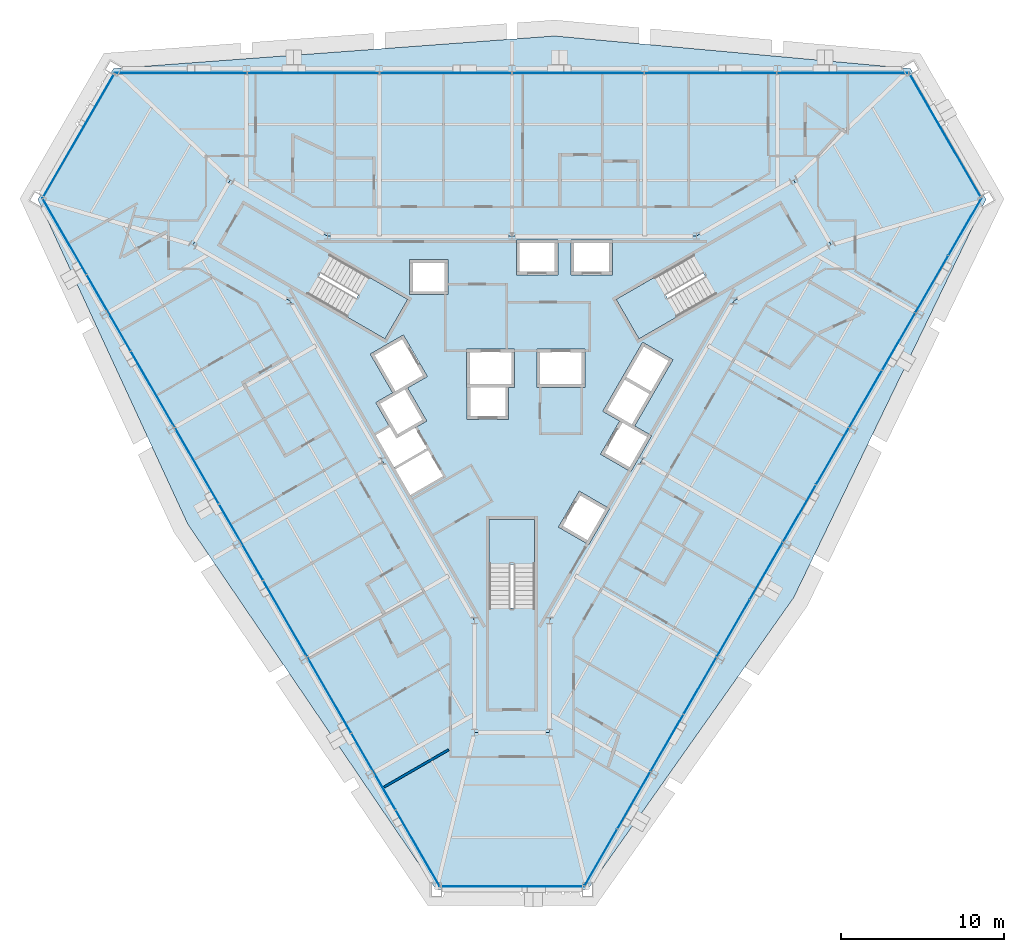
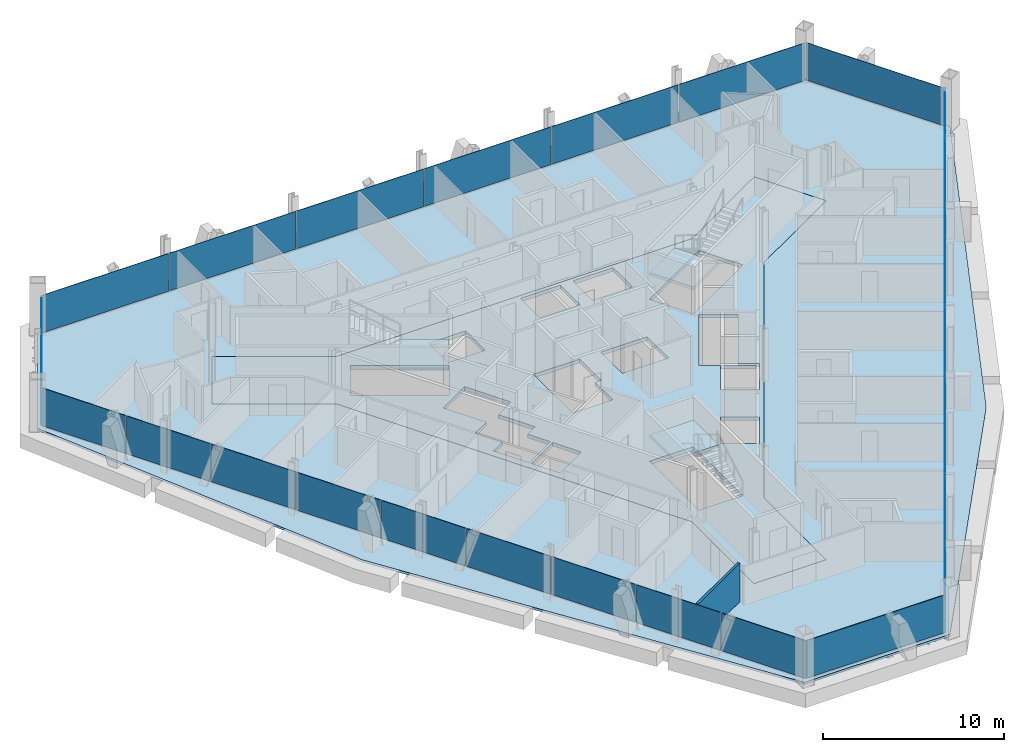
# One storey, part 12 of 19: 30 plates, 5 slabs, 1 wall, 9 elements without a shape of their own.
"""IFC4 building model written with IfcOpenShell, lengths in metres."""

from ifc_helpers import new_model, si_unit, direction, frame, frame_2d, origin, origin_2d, place, context, subcontext, project, spatial, polyline, rectangle, outline, extrude, material, layer, layer_set, type_object, element, aggregate, save


model = new_model("IFC4")

# Units and contexts
model_context = context("Model", 3, precision=1e-05, world=origin(), true_north=direction((0.0, 1.0)))
body_context = subcontext(model_context, "Body", "Model", "MODEL_VIEW")
ifc_project = project(units=[si_unit("LENGTHUNIT", "METRE"), si_unit("AREAUNIT", "SQUARE_METRE"), si_unit("VOLUMEUNIT", "CUBIC_METRE"), si_unit("PLANEANGLEUNIT", "RADIAN"), si_unit("MASSUNIT", "GRAM", prefix="KILO")], contexts=[model_context])

# Site, building, storey
site_placement = place(None, origin())
site = spatial("IfcSite", under=ifc_project, at=site_placement, CompositionType="ELEMENT")
building_placement = place(site_placement, origin())
building = spatial("IfcBuilding", under=site, at=building_placement, Name="Verrane Prism Tower", CompositionType="ELEMENT")
storey_placement = place(building_placement, frame((0.0, 0.0, 125.199951171875)))
storey = spatial("IfcBuildingStorey", under=building, at=storey_placement, Name="L30", CompositionType="ELEMENT", Elevation=125.199951171875)

# Slabs
ifc_material_1 = material(Name="Concrete C35/45", Category="concrete")
ifc_layer_1 = layer(ifc_material_1, 0.159912109375)
ifc_layer_set_1 = layer_set([ifc_layer_1], Name="Composite floor slab")
slab_type_1 = type_object("IfcSlabType", Name="Composite floor slab", PredefinedType="FLOOR", material=ifc_layer_set_1)
slab_1_placement = place(storey_placement, frame((0.0, 0.0, -0.159912109375)))
element("IfcSlab", 1, at=slab_1_placement, inside=storey, type_object=slab_type_1, Name="Floor slab L30", PredefinedType="FLOOR", context=body_context, shape_type="SweptSolid", body=[
    extrude(outline(polyline([(17.3056640625, -13.005615234375), (4.64306640625, -30.93798828125), (-4.64306640625, -30.93798828125), (-19.916015625, -8.484375), (-29.11474609375, 11.447998046875), (-24.4716796875, 19.489990234375), (2.6103515625, 21.489990234375), (24.4716796875, 19.489990234375), (29.11474609375, 11.447998046875), (17.3056640625, -13.005615234375)]), holes=[polyline([(19.60009765625, 8.659912109375), (17.300048828125, 12.639892578125), (11.330078125, 9.199951171875), (0.0, 9.199951171875), (-11.330078125, 9.199951171875), (-17.300048828125, 12.639892578125), (-19.60009765625, 8.659912109375), (-13.6298828125, 5.219970703125), (-7.969970703125, -4.60009765625), (-2.300048828125, -14.419921875), (-2.300048828125, -21.300048828125), (2.300048828125, -21.300048828125), (2.300048828125, -14.419921875), (7.969970703125, -4.60009765625), (13.6298828125, 5.219970703125), (19.60009765625, 8.659912109375)])]), origin(), (0.0, 0.0, 1.0), 0.159912109375),
])
ifc_material_2 = material(Name="Concrete C40/50", Category="concrete")
ifc_layer_2 = layer(ifc_material_2, 0.25)
ifc_layer_set_2 = layer_set([ifc_layer_2], Name="Core floor slab 250 concrete C40/50")
slab_type_2 = type_object("IfcSlabType", Name="Core floor slab 250 concrete C40/50", PredefinedType="FLOOR", material=ifc_layer_set_2)
slab_2_placement = place(storey_placement, frame((0.0, 0.0, -0.25)))
element("IfcSlab", 2, at=slab_2_placement, inside=storey, type_object=slab_type_2, Name="Core floor L30", PredefinedType="FLOOR", context=body_context, shape_type="SweptSolid", body=[
    extrude(outline(polyline([(13.6298828125, 5.219970703125), (19.60009765625, 8.659912109375), (17.300048828125, 12.639892578125), (11.330078125, 9.199951171875), (0.0, 9.199951171875), (-11.330078125, 9.199951171875), (-17.300048828125, 12.639892578125), (-19.60009765625, 8.659912109375), (-13.6298828125, 5.219970703125), (-7.969970703125, -4.60009765625), (-2.300048828125, -14.419921875), (-2.300048828125, -21.300048828125), (2.300048828125, -21.300048828125), (2.300048828125, -14.419921875), (7.969970703125, -4.60009765625), (13.6298828125, 5.219970703125)]), holes=[polyline([(1.39990234375, -8.199951171875), (1.39990234375, -13.639892578125), (-1.39990234375, -13.639892578125), (-1.39990234375, -8.199951171875), (1.39990234375, -8.199951171875)]), polyline([(-4.23095703125, -5.54296875), (-6.243896484375, -6.705078125), (-7.158935546875, -5.12109375), (-5.14599609375, -3.95703125), (-4.23095703125, -5.54296875)]), polyline([(0.1650390625, 2.25), (0.1650390625, -0.10009765625), (-0.205078125, -0.10009765625), (-0.205078125, -2.050048828125), (-2.7548828125, -2.050048828125), (-2.7548828125, -0.10009765625), (-2.784912109375, -0.10009765625), (-2.784912109375, 2.25), (0.1650390625, 2.25)]), polyline([(-12.512939453125, 5.60791015625), (-11.113037109375, 8.031982421875), (-6.40087890625, 5.31201171875), (-7.801025390625, 2.887939453125), (-12.512939453125, 5.60791015625)]), polyline([(-6.284912109375, 5.610107421875), (-6.284912109375, 7.760009765625), (-3.93505859375, 7.760009765625), (-3.93505859375, 5.610107421875), (-6.284912109375, 5.610107421875)]), polyline([(4.717041015625, -9.75), (2.85498046875, -8.675048828125), (4.1298828125, -6.466064453125), (5.991943359375, -7.541015625), (4.717041015625, -9.75)]), polyline([(8.303955078125, -3.136962890625), (5.575927734375, -1.56201171875), (8.02587890625, 2.680908203125), (9.887939453125, 1.60595703125), (7.5380859375, -2.464111328125), (8.576904296875, -3.06396484375), (7.302001953125, -5.27197265625), (5.43994140625, -4.197021484375), (6.614990234375, -2.162109375), (8.303955078125, -3.136962890625)]), polyline([(1.52490234375, -0.10009765625), (1.52490234375, 2.25), (4.47509765625, 2.25), (4.47509765625, -0.10009765625), (1.52490234375, -0.10009765625)]), polyline([(6.40087890625, 5.31201171875), (11.113037109375, 8.031982421875), (12.512939453125, 5.60791015625), (7.801025390625, 2.887939453125), (6.40087890625, 5.31201171875)]), polyline([(0.264892578125, 6.81005859375), (0.264892578125, 8.9599609375), (2.81494140625, 8.9599609375), (2.81494140625, 6.81005859375), (0.264892578125, 6.81005859375)]), polyline([(3.625, 6.81005859375), (3.625, 8.9599609375), (6.175048828125, 8.9599609375), (6.175048828125, 6.81005859375), (3.625, 6.81005859375)]), polyline([(-5.23095703125, -2.159912109375), (-5.945068359375, -2.572265625), (-5.220947265625, -3.826904296875), (-7.23291015625, -4.990966796875), (-8.368896484375, -3.02392578125), (-7.502685546875, -2.525146484375), (-8.367919921875, -1.02587890625), (-7.3291015625, -0.426025390625), (-8.7041015625, 1.955078125), (-6.66796875, 3.1298828125), (-5.193115234375, 0.574951171875), (-6.406005859375, -0.125), (-5.23095703125, -2.159912109375)])]), origin(), (0.0, 0.0, 1.0), 0.25),
])

# Curtain wall, plates
ifc_material_3 = material(Name="Aluminium framed insulated glazing", Category="aluminium")
curtain_wall_type_1 = type_object("IfcCurtainWallType", Name="Curtain wall CW-C 4200 module", PredefinedType="NOTDEFINED", material=ifc_material_3)
curtain_wall_1_placement = place(storey_placement, origin())
curtain_wall_1 = element("IfcCurtainWall", 3, at=curtain_wall_1_placement, inside=storey, type_object=curtain_wall_type_1, Name="Glazed curtain wall south-east face L30", PredefinedType="NOTDEFINED")
ifc_material_4 = material(Name="Low-iron insulating glass unit", Category="glass")
ifc_layer_3 = layer(ifc_material_4, 0.02392578125)
ifc_layer_set_3 = layer_set([ifc_layer_3], Name="Glazing panel IGU 24")
plate_type_1 = type_object("IfcPlateType", Name="Glazing panel IGU 24", PredefinedType="CURTAIN_PANEL", material=ifc_layer_set_3)
plate_1_placement = place(storey_placement, frame((5.460693359375, -28.963623046875, 0.050048828125), z_axis=(0.0, 0.0, 1.0), x_axis=(0.500000131621, 0.866025327793, 0.0)))
plate_1 = element("IfcPlate", 4, at=plate_1_placement, type_object=plate_type_1, Name="CW29.6 panel 1", PredefinedType="CURTAIN_PANEL", context=body_context, shape_type="SweptSolid", body=[
    extrude(rectangle(XDim=3.991455078125, YDim=0.02392578125, at=origin_2d()), origin(), (0.0, 0.0, 1.0), 2.56298828125),
])
plate_2_placement = place(storey_placement, frame((7.48779296875, -25.452880859375, 0.050048828125), z_axis=(0.0, 0.0, 1.0), x_axis=(0.500000131621, 0.866025327793, 0.0)))
plate_2 = element("IfcPlate", 5, at=plate_2_placement, type_object=plate_type_1, Name="CW29.6 panel 2", PredefinedType="CURTAIN_PANEL", context=body_context, shape_type="SweptSolid", body=[
    extrude(rectangle(XDim=4.016357421875, YDim=0.02392578125, at=origin_2d()), origin(), (0.0, 0.0, 1.0), 2.56298828125),
])
plate_3_placement = place(storey_placement, frame((9.52099609375, -21.93115234375, 0.050048828125), z_axis=(0.0, 0.0, 1.0), x_axis=(0.500000131621, 0.866025327793, 0.0)))
plate_3 = element("IfcPlate", 6, at=plate_3_placement, type_object=plate_type_1, Name="CW29.6 panel 3", PredefinedType="CURTAIN_PANEL", context=body_context, shape_type="SweptSolid", body=[
    extrude(rectangle(XDim=4.016357421875, YDim=0.02392578125, at=origin_2d()), origin(), (0.0, 0.0, 1.0), 2.56298828125),
])
plate_4_placement = place(storey_placement, frame((11.55419921875, -18.40966796875, 0.050048828125), z_axis=(0.0, 0.0, 1.0), x_axis=(0.500000131621, 0.866025327793, 0.0)))
plate_4 = element("IfcPlate", 7, at=plate_4_placement, type_object=plate_type_1, Name="CW29.6 panel 4", PredefinedType="CURTAIN_PANEL", context=body_context, shape_type="SweptSolid", body=[
    extrude(rectangle(XDim=4.016357421875, YDim=0.02392578125, at=origin_2d()), origin(), (0.0, 0.0, 1.0), 2.56298828125),
])
plate_5_placement = place(storey_placement, frame((13.58740234375, -14.887939453125, 0.050048828125), z_axis=(0.0, 0.0, 1.0), x_axis=(0.500000131621, 0.866025327793, 0.0)))
plate_5 = element("IfcPlate", 8, at=plate_5_placement, type_object=plate_type_1, Name="CW29.6 panel 5", PredefinedType="CURTAIN_PANEL", context=body_context, shape_type="SweptSolid", body=[
    extrude(rectangle(XDim=4.016357421875, YDim=0.02392578125, at=origin_2d()), origin(), (0.0, 0.0, 1.0), 2.56298828125),
])
plate_6_placement = place(storey_placement, frame((15.62060546875, -11.3662109375, 0.050048828125), z_axis=(0.0, 0.0, 1.0), x_axis=(0.500000131621, 0.866025327793, 0.0)))
plate_6 = element("IfcPlate", 9, at=plate_6_placement, type_object=plate_type_1, Name="CW29.6 panel 6", PredefinedType="CURTAIN_PANEL", context=body_context, shape_type="SweptSolid", body=[
    extrude(rectangle(XDim=4.016357421875, YDim=0.02392578125, at=origin_2d()), origin(), (0.0, 0.0, 1.0), 2.56298828125),
])
plate_7_placement = place(storey_placement, frame((17.65380859375, -7.8447265625, 0.050048828125), z_axis=(0.0, 0.0, 1.0), x_axis=(0.500000131621, 0.866025327793, 0.0)))
plate_7 = element("IfcPlate", 10, at=plate_7_placement, type_object=plate_type_1, Name="CW29.6 panel 7", PredefinedType="CURTAIN_PANEL", context=body_context, shape_type="SweptSolid", body=[
    extrude(rectangle(XDim=4.016357421875, YDim=0.02392578125, at=origin_2d()), origin(), (0.0, 0.0, 1.0), 2.56298828125),
])
plate_8_placement = place(storey_placement, frame((19.68701171875, -4.322998046875, 0.050048828125), z_axis=(0.0, 0.0, 1.0), x_axis=(0.500000131621, 0.866025327793, 0.0)))
plate_8 = element("IfcPlate", 11, at=plate_8_placement, type_object=plate_type_1, Name="CW29.6 panel 8", PredefinedType="CURTAIN_PANEL", context=body_context, shape_type="SweptSolid", body=[
    extrude(rectangle(XDim=4.016357421875, YDim=0.02392578125, at=origin_2d()), origin(), (0.0, 0.0, 1.0), 2.56298828125),
])
plate_9_placement = place(storey_placement, frame((21.72021484375, -0.801513671875, 0.050048828125), z_axis=(0.0, 0.0, 1.0), x_axis=(0.500000131621, 0.866025327793, 0.0)))
plate_9 = element("IfcPlate", 12, at=plate_9_placement, type_object=plate_type_1, Name="CW29.6 panel 9", PredefinedType="CURTAIN_PANEL", context=body_context, shape_type="SweptSolid", body=[
    extrude(rectangle(XDim=4.016357421875, YDim=0.02392578125, at=origin_2d()), origin(), (0.0, 0.0, 1.0), 2.56298828125),
])
plate_10_placement = place(storey_placement, frame((23.75341796875, 2.72021484375, 0.050048828125), z_axis=(0.0, 0.0, 1.0), x_axis=(0.500000131621, 0.866025327793, 0.0)))
plate_10 = element("IfcPlate", 13, at=plate_10_placement, type_object=plate_type_1, Name="CW29.6 panel 10", PredefinedType="CURTAIN_PANEL", context=body_context, shape_type="SweptSolid", body=[
    extrude(rectangle(XDim=4.016357421875, YDim=0.02392578125, at=origin_2d()), origin(), (0.0, 0.0, 1.0), 2.56298828125),
])
plate_11_placement = place(storey_placement, frame((25.78662109375, 6.241943359375, 0.050048828125), z_axis=(0.0, 0.0, 1.0), x_axis=(0.500000131621, 0.866025327793, 0.0)))
plate_11 = element("IfcPlate", 14, at=plate_11_placement, type_object=plate_type_1, Name="CW29.6 panel 11", PredefinedType="CURTAIN_PANEL", context=body_context, shape_type="SweptSolid", body=[
    extrude(rectangle(XDim=4.016357421875, YDim=0.02392578125, at=origin_2d()), origin(), (0.0, 0.0, 1.0), 2.56298828125),
])
plate_12_placement = place(storey_placement, frame((27.826171875, 9.7744140625, 0.050048828125), z_axis=(0.0, 0.0, 1.0), x_axis=(0.500000131621, 0.866025327793, 0.0)))
plate_12 = element("IfcPlate", 15, at=plate_12_placement, type_object=plate_type_1, Name="CW29.6 panel 12", PredefinedType="CURTAIN_PANEL", context=body_context, shape_type="SweptSolid", body=[
    extrude(rectangle(XDim=4.04150390625, YDim=0.02392578125, at=origin_2d()), origin(), (0.0, 0.0, 1.0), 2.56298828125),
])
aggregate(curtain_wall_1, [plate_1, plate_2, plate_3, plate_4, plate_5, plate_6, plate_7, plate_8, plate_9, plate_10, plate_11, plate_12])

ifc_material_5 = material(Name="Aluminium framed insulated glazing", Category="aluminium")
curtain_wall_type_2 = type_object("IfcCurtainWallType", Name="Curtain wall CW-B 5600 module", PredefinedType="NOTDEFINED", material=ifc_material_5)
curtain_wall_2_placement = place(storey_placement, origin())
curtain_wall_2 = element("IfcCurtainWall", 16, at=curtain_wall_2_placement, inside=storey, type_object=curtain_wall_type_2, Name="Glazed curtain wall south-west face L30", PredefinedType="NOTDEFINED")
ifc_material_6 = material(Name="Low-iron insulating glass unit", Category="glass")
ifc_layer_4 = layer(ifc_material_6, 0.028076171875)
ifc_layer_set_4 = layer_set([ifc_layer_4], Name="Glazing panel IGU 28")
plate_type_2 = type_object("IfcPlateType", Name="Glazing panel IGU 28", PredefinedType="CURTAIN_PANEL", material=ifc_layer_set_4)
plate_13_placement = place(storey_placement, frame((-27.4736328125, 9.16357421875, 0.06005859375), z_axis=(0.0, 0.0, 1.0), x_axis=(0.500000131621, -0.866025327793, 0.0)))
plate_13 = element("IfcPlate", 17, at=plate_13_placement, type_object=plate_type_2, Name="CW29.4 panel 1", PredefinedType="CURTAIN_PANEL", context=body_context, shape_type="SweptSolid", body=[
    extrude(rectangle(XDim=5.33203125, YDim=0.028076171875, at=origin_2d()), origin(), (0.0, 0.0, 1.0), 2.552978515625),
])
plate_14_placement = place(storey_placement, frame((-24.77001953125, 4.48095703125, 0.06005859375), z_axis=(0.0, 0.0, 1.0), x_axis=(0.500000131621, -0.866025327793, 0.0)))
plate_14 = element("IfcPlate", 18, at=plate_14_placement, type_object=plate_type_2, Name="CW29.4 panel 2", PredefinedType="CURTAIN_PANEL", context=body_context, shape_type="SweptSolid", body=[
    extrude(rectangle(XDim=5.36181640625, YDim=0.028076171875, at=origin_2d()), origin(), (0.0, 0.0, 1.0), 2.552978515625),
])
plate_15_placement = place(storey_placement, frame((-22.05908203125, -0.214599609375, 0.06005859375), z_axis=(0.0, 0.0, 1.0), x_axis=(0.500000131621, -0.866025327793, 0.0)))
plate_15 = element("IfcPlate", 19, at=plate_15_placement, type_object=plate_type_2, Name="CW29.4 panel 3", PredefinedType="CURTAIN_PANEL", context=body_context, shape_type="SweptSolid", body=[
    extrude(rectangle(XDim=5.36181640625, YDim=0.028076171875, at=origin_2d()), origin(), (0.0, 0.0, 1.0), 2.552978515625),
])
plate_16_placement = place(storey_placement, frame((-19.34814453125, -4.909912109375, 0.06005859375), z_axis=(0.0, 0.0, 1.0), x_axis=(0.500000131621, -0.866025327793, 0.0)))
plate_16 = element("IfcPlate", 20, at=plate_16_placement, type_object=plate_type_2, Name="CW29.4 panel 4", PredefinedType="CURTAIN_PANEL", context=body_context, shape_type="SweptSolid", body=[
    extrude(rectangle(XDim=5.36181640625, YDim=0.028076171875, at=origin_2d()), origin(), (0.0, 0.0, 1.0), 2.552978515625),
])
plate_17_placement = place(storey_placement, frame((-16.63720703125, -9.60546875, 0.06005859375), z_axis=(0.0, 0.0, 1.0), x_axis=(0.500000131621, -0.866025327793, 0.0)))
plate_17 = element("IfcPlate", 21, at=plate_17_placement, type_object=plate_type_2, Name="CW29.4 panel 5", PredefinedType="CURTAIN_PANEL", context=body_context, shape_type="SweptSolid", body=[
    extrude(rectangle(XDim=5.36181640625, YDim=0.028076171875, at=origin_2d()), origin(), (0.0, 0.0, 1.0), 2.552978515625),
])
plate_18_placement = place(storey_placement, frame((-13.92626953125, -14.301025390625, 0.06005859375), z_axis=(0.0, 0.0, 1.0), x_axis=(0.500000131621, -0.866025327793, 0.0)))
plate_18 = element("IfcPlate", 22, at=plate_18_placement, type_object=plate_type_2, Name="CW29.4 panel 6", PredefinedType="CURTAIN_PANEL", context=body_context, shape_type="SweptSolid", body=[
    extrude(rectangle(XDim=5.36181640625, YDim=0.028076171875, at=origin_2d()), origin(), (0.0, 0.0, 1.0), 2.552978515625),
])
plate_19_placement = place(storey_placement, frame((-11.21533203125, -18.99658203125, 0.06005859375), z_axis=(0.0, 0.0, 1.0), x_axis=(0.500000131621, -0.866025327793, 0.0)))
plate_19 = element("IfcPlate", 23, at=plate_19_placement, type_object=plate_type_2, Name="CW29.4 panel 7", PredefinedType="CURTAIN_PANEL", context=body_context, shape_type="SweptSolid", body=[
    extrude(rectangle(XDim=5.36181640625, YDim=0.028076171875, at=origin_2d()), origin(), (0.0, 0.0, 1.0), 2.552978515625),
])
plate_20_placement = place(storey_placement, frame((-8.50439453125, -23.692138671875, 0.06005859375), z_axis=(0.0, 0.0, 1.0), x_axis=(0.500000131621, -0.866025327793, 0.0)))
plate_20 = element("IfcPlate", 24, at=plate_20_placement, type_object=plate_type_2, Name="CW29.4 panel 8", PredefinedType="CURTAIN_PANEL", context=body_context, shape_type="SweptSolid", body=[
    extrude(rectangle(XDim=5.36181640625, YDim=0.028076171875, at=origin_2d()), origin(), (0.0, 0.0, 1.0), 2.552978515625),
])
plate_21_placement = place(storey_placement, frame((-5.785888671875, -28.400634765625, 0.06005859375), z_axis=(0.0, 0.0, 1.0), x_axis=(0.500000131621, -0.866025327793, 0.0)))
plate_21 = element("IfcPlate", 25, at=plate_21_placement, type_object=plate_type_2, Name="CW29.4 panel 9", PredefinedType="CURTAIN_PANEL", context=body_context, shape_type="SweptSolid", body=[
    extrude(rectangle(XDim=5.391845703125, YDim=0.028076171875, at=origin_2d()), origin(), (0.0, 0.0, 1.0), 2.552978515625),
])
aggregate(curtain_wall_2, [plate_13, plate_14, plate_15, plate_16, plate_17, plate_18, plate_19, plate_20, plate_21])

# Curtain wall, plate
ifc_material_7 = material(Name="Aluminium framed insulated glazing", Category="aluminium")
curtain_wall_type_3 = type_object("IfcCurtainWallType", Name="Curtain wall CW-A 8400 module", PredefinedType="NOTDEFINED", material=ifc_material_7)
curtain_wall_3_placement = place(storey_placement, origin())
curtain_wall_3 = element("IfcCurtainWall", 26, at=curtain_wall_3_placement, inside=storey, type_object=curtain_wall_type_3, Name="Glazed curtain wall north-east corner L30", PredefinedType="NOTDEFINED")
ifc_material_8 = material(Name="Low-iron insulating glass unit", Category="glass")
ifc_layer_5 = layer(ifc_material_8, 0.031982421875)
ifc_layer_set_5 = layer_set([ifc_layer_5], Name="Glazing panel IGU 32")
plate_type_3 = type_object("IfcPlateType", Name="Glazing panel IGU 32", PredefinedType="CURTAIN_PANEL", material=ifc_layer_set_5)
plate_22_placement = place(storey_placement, frame((26.60009765625, 15.39794921875, 0.070068359375), z_axis=(0.0, 0.0, 1.0), x_axis=(-0.499998452466, 0.866026297252, 0.0)))
plate_22 = element("IfcPlate", 27, at=plate_22_placement, type_object=plate_type_3, Name="CW29.1 panel 1", PredefinedType="CURTAIN_PANEL", context=body_context, shape_type="SweptSolid", body=[
    extrude(rectangle(XDim=8.805908203125, YDim=0.031982421875, at=origin_2d()), origin(), (0.0, 0.0, 1.0), 2.54296875),
])
aggregate(curtain_wall_3, [plate_22])

# Curtain wall, plates
curtain_wall_4_placement = place(storey_placement, origin())
curtain_wall_4 = element("IfcCurtainWall", 28, at=curtain_wall_4_placement, inside=storey, type_object=curtain_wall_type_3, Name="Glazed curtain wall north face L30", PredefinedType="NOTDEFINED")
plate_23_placement = place(storey_placement, frame((20.314697265625, 19.2109375, 0.070068359375), z_axis=(0.0, 0.0, 1.0), x_axis=(-1.0, 0.0, 0.0)))
plate_23 = element("IfcPlate", 29, at=plate_23_placement, type_object=plate_type_3, Name="CW29.2 panel 1", PredefinedType="CURTAIN_PANEL", context=body_context, shape_type="SweptSolid", body=[
    extrude(rectangle(XDim=8.02783203125, YDim=0.031982421875, at=origin_2d()), origin(), (0.0, 0.0, 1.0), 2.54296875),
])
plate_24_placement = place(storey_placement, frame((12.19921875, 19.2109375, 0.070068359375), z_axis=(0.0, 0.0, 1.0), x_axis=(-1.0, 0.0, 0.0)))
plate_24 = element("IfcPlate", 30, at=plate_24_placement, type_object=plate_type_3, Name="CW29.2 panel 2", PredefinedType="CURTAIN_PANEL", context=body_context, shape_type="SweptSolid", body=[
    extrude(rectangle(XDim=8.06298828125, YDim=0.031982421875, at=origin_2d()), origin(), (0.0, 0.0, 1.0), 2.54296875),
])
plate_25_placement = place(storey_placement, frame((4.06640625, 19.2109375, 0.070068359375), z_axis=(0.0, 0.0, 1.0), x_axis=(-1.0, 0.0, 0.0)))
plate_25 = element("IfcPlate", 31, at=plate_25_placement, type_object=plate_type_3, Name="CW29.2 panel 3", PredefinedType="CURTAIN_PANEL", context=body_context, shape_type="SweptSolid", body=[
    extrude(rectangle(XDim=8.06298828125, YDim=0.031982421875, at=origin_2d()), origin(), (0.0, 0.0, 1.0), 2.54296875),
])
plate_26_placement = place(storey_placement, frame((-4.06640625, 19.2109375, 0.070068359375), z_axis=(0.0, 0.0, 1.0), x_axis=(-1.0, 0.0, 0.0)))
plate_26 = element("IfcPlate", 32, at=plate_26_placement, type_object=plate_type_3, Name="CW29.2 panel 4", PredefinedType="CURTAIN_PANEL", context=body_context, shape_type="SweptSolid", body=[
    extrude(rectangle(XDim=8.06298828125, YDim=0.031982421875, at=origin_2d()), origin(), (0.0, 0.0, 1.0), 2.54296875),
])
plate_27_placement = place(storey_placement, frame((-12.19921875, 19.2109375, 0.070068359375), z_axis=(0.0, 0.0, 1.0), x_axis=(-1.0, 0.0, 0.0)))
plate_27 = element("IfcPlate", 33, at=plate_27_placement, type_object=plate_type_3, Name="CW29.2 panel 5", PredefinedType="CURTAIN_PANEL", context=body_context, shape_type="SweptSolid", body=[
    extrude(rectangle(XDim=8.06298828125, YDim=0.031982421875, at=origin_2d()), origin(), (0.0, 0.0, 1.0), 2.54296875),
])
plate_28_placement = place(storey_placement, frame((-20.349609375, 19.2109375, 0.070068359375), z_axis=(0.0, 0.0, 1.0), x_axis=(-1.0, 0.0, 0.0)))
plate_28 = element("IfcPlate", 34, at=plate_28_placement, type_object=plate_type_3, Name="CW29.2 panel 6", PredefinedType="CURTAIN_PANEL", context=body_context, shape_type="SweptSolid", body=[
    extrude(rectangle(XDim=8.097900390625, YDim=0.031982421875, at=origin_2d()), origin(), (0.0, 0.0, 1.0), 2.54296875),
])
aggregate(curtain_wall_4, [plate_23, plate_24, plate_25, plate_26, plate_27, plate_28])

# Curtain wall, plate
curtain_wall_5_placement = place(storey_placement, origin())
curtain_wall_5 = element("IfcCurtainWall", 35, at=curtain_wall_5_placement, inside=storey, type_object=curtain_wall_type_3, Name="Glazed curtain wall north-west corner L30", PredefinedType="NOTDEFINED")
plate_29_placement = place(storey_placement, frame((-26.635009765625, 15.33740234375, 0.070068359375), z_axis=(0.0, 0.0, 1.0), x_axis=(-0.499998452466, -0.866026297252, 0.0)))
plate_29 = element("IfcPlate", 36, at=plate_29_placement, type_object=plate_type_3, Name="CW29.3 panel 1", PredefinedType="CURTAIN_PANEL", context=body_context, shape_type="SweptSolid", body=[
    extrude(rectangle(XDim=8.805908203125, YDim=0.031982421875, at=origin_2d()), origin(), (0.0, 0.0, 1.0), 2.54296875),
])
aggregate(curtain_wall_5, [plate_29])

curtain_wall_6_placement = place(storey_placement, origin())
curtain_wall_6 = element("IfcCurtainWall", 37, at=curtain_wall_6_placement, inside=storey, type_object=curtain_wall_type_3, Name="Glazed curtain wall south corner L30", PredefinedType="NOTDEFINED")
plate_30_placement = place(storey_placement, frame((0.034912109375, -30.7353515625, 0.070068359375), z_axis=(0.0, 0.0, 1.0), x_axis=(1.0, 0.0, 0.0)))
plate_30 = element("IfcPlate", 38, at=plate_30_placement, type_object=plate_type_3, Name="CW29.5 panel 1", PredefinedType="CURTAIN_PANEL", context=body_context, shape_type="SweptSolid", body=[
    extrude(rectangle(XDim=8.805908203125, YDim=0.031982421875, at=origin_2d()), origin(), (0.0, 0.0, 1.0), 2.54296875),
])
aggregate(curtain_wall_6, [plate_30])

# Stair, slab
ifc_material_9 = material(Name="Concrete C40/50", Category="concrete")
stair_type = type_object("IfcStairType", Name="Exit stair 1300 dog-leg precast concrete C40/50", PredefinedType="HALF_TURN_STAIR", material=ifc_material_9)
stair_1_placement = place(storey_placement, origin())
stair_1 = element("IfcStair", 39, at=stair_1_placement, inside=storey, type_object=stair_type, Name="Stair 1 L30", PredefinedType="HALF_TURN_STAIR")
ifc_material_10 = material(Name="Concrete C40/50", Category="concrete")
ifc_layer_6 = layer(ifc_material_10, 0.199951171875)
ifc_layer_set_6 = layer_set([ifc_layer_6], Name="Stair landing 200 precast concrete C40/50")
slab_type_3 = type_object("IfcSlabType", Name="Stair landing 200 precast concrete C40/50", PredefinedType="LANDING", material=ifc_layer_set_6)
slab_3_placement = place(storey_placement, frame((0.0, 0.0, 1.60009765625)))
slab_3 = element("IfcSlab", 40, at=slab_3_placement, type_object=slab_type_3, Name="Stair 1 landing 1", PredefinedType="LANDING", context=body_context, shape_type="SweptSolid", body=[
    extrude(outline(polyline([(8.791748046875, 6.6923828125), (6.4013671875, 5.3125), (7.801513671875, 2.887451171875), (10.191650390625, 4.267578125), (8.791748046875, 6.6923828125)])), origin(), (0.0, 0.0, 1.0), 0.199951171875),
])
aggregate(stair_1, [slab_3])

stair_2_placement = place(storey_placement, origin())
stair_2 = element("IfcStair", 41, at=stair_2_placement, inside=storey, type_object=stair_type, Name="Stair 2 L30", PredefinedType="HALF_TURN_STAIR")
slab_4_placement = place(storey_placement, frame((0.0, 0.0, 1.60009765625)))
slab_4 = element("IfcSlab", 42, at=slab_4_placement, type_object=slab_type_3, Name="Stair 2 landing 1", PredefinedType="LANDING", context=body_context, shape_type="SweptSolid", body=[
    extrude(outline(polyline([(-10.191650390625, 4.267578125), (-7.801513671875, 2.887451171875), (-6.4013671875, 5.3125), (-8.791748046875, 6.6923828125), (-10.191650390625, 4.267578125)])), origin(), (0.0, 0.0, 1.0), 0.199951171875),
])
aggregate(stair_2, [slab_4])

stair_3_placement = place(storey_placement, origin())
stair_3 = element("IfcStair", 43, at=stair_3_placement, inside=storey, type_object=stair_type, Name="Stair 3 L30", PredefinedType="HALF_TURN_STAIR")
slab_5_placement = place(storey_placement, frame((0.0, 0.0, 1.60009765625)))
slab_5 = element("IfcSlab", 44, at=slab_5_placement, type_object=slab_type_3, Name="Stair 3 landing 1", PredefinedType="LANDING", context=body_context, shape_type="SweptSolid", body=[
    extrude(outline(polyline([(1.39990234375, -10.9599609375), (1.39990234375, -8.199951171875), (-1.39990234375, -8.199951171875), (-1.39990234375, -10.9599609375), (1.39990234375, -10.9599609375)])), origin(), (0.0, 0.0, 1.0), 0.199951171875),
])
aggregate(stair_3, [slab_5])

# Wall
ifc_material_11 = material(Name="Gypsum board partition", Category="other")
ifc_layer_7 = layer(ifc_material_11, 0.14990234375)
ifc_layer_set_7 = layer_set([ifc_layer_7], Name="PW-150 demising wall 1 h")
wall_type = type_object("IfcWallType", Name="PW-150 demising wall 1 h", PredefinedType="PARTITIONING", material=ifc_layer_set_7)
wall_placement = place(storey_placement, frame((-7.847900390625, -24.63623046875, 0.0), z_axis=(0.0, 0.0, 1.0), x_axis=(0.866046917185, 0.499962735845, 0.0)))
element("IfcWall", 45, at=wall_placement, inside=storey, type_object=wall_type, Name="Demising wall 036", PredefinedType="PARTITIONING", context=body_context, shape_type="SweptSolid", body=[
    extrude(rectangle(XDim=4.573486328125, YDim=0.14990234375, at=frame_2d((2.28662109375, 0.0))), origin(), (0.0, 0.0, 1.0), 2.613037109375),
])

save(model, "model.ifc")
